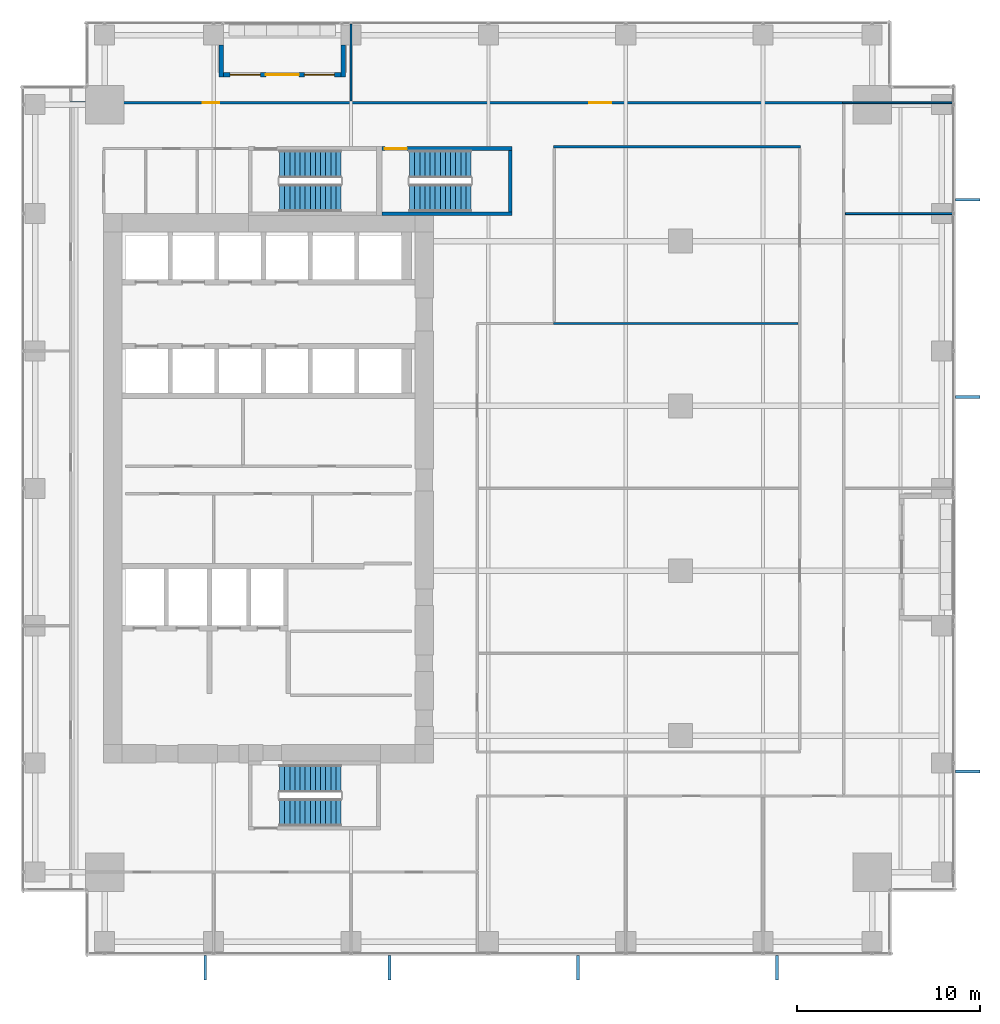
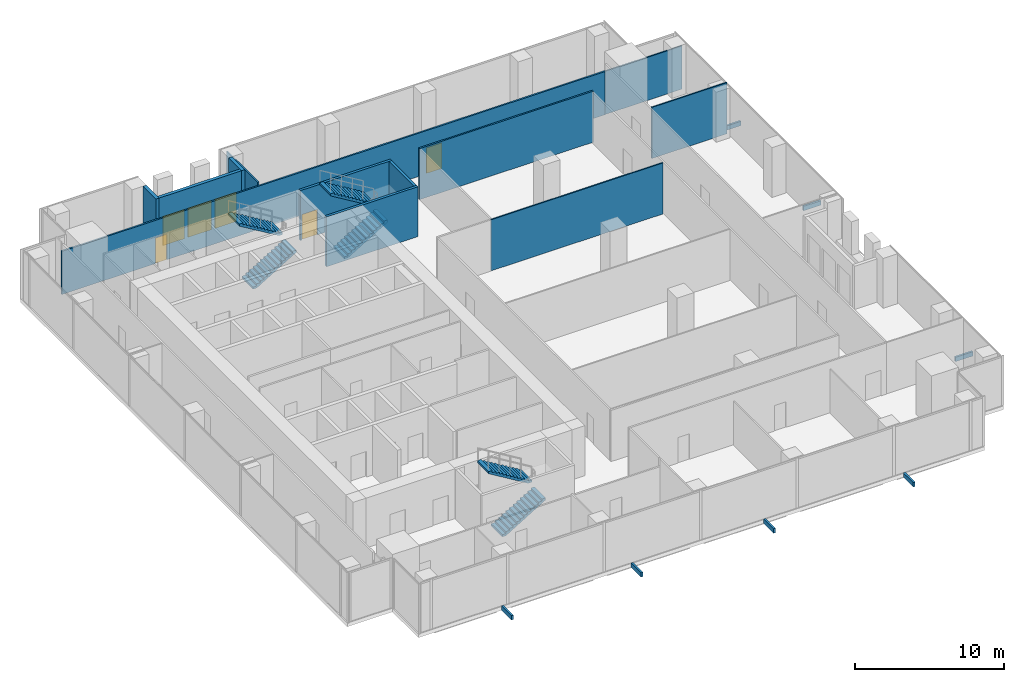
# One storey, part 31 of 34: 12 walls, 7 discrete accessories, 6 stair flights, 4 doors, 2 windows, 6 openings, 3 elements without a shape of their own.
"""IFC4 building model written with IfcOpenShell, lengths in metres."""

from ifc_helpers import new_model, si_unit, direction, frame, frame_2d, origin, origin_2d, place, context, subcontext, project, spatial, polyline, rectangle, outline, extrude, source, transform, mapped, material, layer, layer_set, type_object, element, fill, aggregate, save


model = new_model("IFC4")

# Units and contexts
model_context = context("Model", 3, precision=1e-05, world=origin(), true_north=direction((0.0, 1.0)))
body_context = subcontext(model_context, "Body", "Model", "MODEL_VIEW")
ifc_project = project(units=[si_unit("LENGTHUNIT", "METRE"), si_unit("AREAUNIT", "SQUARE_METRE"), si_unit("VOLUMEUNIT", "CUBIC_METRE"), si_unit("PLANEANGLEUNIT", "RADIAN"), si_unit("MASSUNIT", "GRAM", prefix="KILO")], contexts=[model_context])

# Site, building, storey
site_placement = place(None, origin())
site = spatial("IfcSite", under=ifc_project, at=site_placement, CompositionType="ELEMENT")
building_placement = place(site_placement, origin())
building = spatial("IfcBuilding", under=site, at=building_placement, Name="Khomas Fold Tower", CompositionType="ELEMENT")
storey_placement = place(building_placement, frame((0.0, 0.0, 110.300048828125)))
storey = spatial("IfcBuildingStorey", under=building, at=storey_placement, Name="L23", CompositionType="ELEMENT", Elevation=110.300048828125)

# Wall, opening, door
ifc_material_1 = material(Name="Concrete C50/60", Category="concrete")
ifc_layer_1 = layer(ifc_material_1, 0.199951171875)
ifc_layer_set_1 = layer_set([ifc_layer_1], Name="Concrete C50/60")
wall_type_1 = type_object("IfcWallType", Name="Stair wall 200", PredefinedType="SHEAR", material=ifc_layer_set_1)
shared_shape_1 = source(origin(), body_context, "Body", "SweptSolid", [
    extrude(rectangle(XDim=7.10009765625, YDim=0.199951171875, at=frame_2d((3.550048828125, 0.0))), origin(), (0.0, 0.0, 1.0), 4.099853515625),
])
wall_1_placement = place(storey_placement, frame((21.199951171875, 45.550048828125, 0.0), z_axis=(0.0, 0.0, 1.0), x_axis=(1.0, 0.0, 0.0)))
wall_1 = element("IfcWall", 1, at=wall_1_placement, inside=storey, type_object=wall_type_1, Name="Stair wall SW-ST3-N", PredefinedType="SHEAR", context=body_context, shape_type="MappedRepresentation", body=[
    mapped(shared_shape_1, transform((0.0, 0.0, 0.0))),
])
shared_shape_2 = source(origin(), body_context, "Body", "SweptSolid", [
    extrude(rectangle(XDim=1.199951171875, YDim=2.10009765625, at=frame_2d((0.60009765625, 1.050048828125))), frame((0.0, 0.10986328125, 0.0), z_axis=(0.0, -1.0, 0.0), x_axis=(1.0, 0.0, 0.0)), (0.0, 0.0, 1.0), 0.219970703125),
])
opening_1_placement = place(wall_1_placement, frame((0.14990234375, 0.0, 0.0)))
opening_1 = element("IfcOpeningElement", 2, at=opening_1_placement, cuts=wall_1, Name="Opening SD-ST3", PredefinedType="OPENING", context=body_context, shape_type="MappedRepresentation", body=[
    mapped(shared_shape_2, transform((0.0, 0.0, 0.0))),
])
ifc_material_2 = material(Name="Steel door leaf", Category="steel")
door_type_1 = type_object("IfcDoorType", Name="Stair door 1200x2100 left-hand", OperationType="SINGLE_SWING_LEFT", PredefinedType="DOOR", material=ifc_material_2)
shared_shape_3 = source(origin(), body_context, "Body", "SweptSolid", [
    extrude(rectangle(XDim=1.199951171875, YDim=2.10009765625, at=frame_2d((0.60009765625, 1.050048828125))), frame((0.0, 0.02490234375, 0.0), z_axis=(0.0, -1.0, 0.0), x_axis=(1.0, 0.0, 0.0)), (0.0, 0.0, 1.0), 0.050048828125),
])
door_1_placement = place(opening_1_placement, origin())
door_1 = element("IfcDoor", 3, at=door_1_placement, inside=storey, type_object=door_type_1, Name="Stair door", OperationType="SINGLE_SWING_LEFT", OverallHeight=2.10009765625, OverallWidth=1.199951171875, PredefinedType="DOOR", context=body_context, shape_type="MappedRepresentation", body=[
    mapped(shared_shape_3, transform((0.0, 0.0, 0.0))),
])
fill(opening_1, door_1)

# Walls
wall_2_placement = place(storey_placement, frame((21.199951171875, 42.0, 0.0), z_axis=(0.0, 0.0, 1.0), x_axis=(1.0, 0.0, 0.0)))
element("IfcWall", 4, at=wall_2_placement, inside=storey, type_object=wall_type_1, Name="Stair wall SW-ST3-S", PredefinedType="SHEAR", context=body_context, shape_type="MappedRepresentation", body=[
    mapped(shared_shape_1, transform((0.0, 0.0, 0.0))),
])
shared_shape_4 = source(origin(), body_context, "Body", "SweptSolid", [
    extrude(rectangle(XDim=3.349853515625, YDim=0.199951171875, at=frame_2d((1.6748046875, 0.0))), origin(), (0.0, 0.0, 1.0), 4.099853515625),
])
wall_3_placement = place(storey_placement, frame((28.199951171875, 42.10009765625, 0.0), z_axis=(0.0, 0.0, 1.0), x_axis=(0.0, 1.0, 0.0)))
element("IfcWall", 5, at=wall_3_placement, inside=storey, type_object=wall_type_1, Name="Stair wall SW-ST3-E", PredefinedType="SHEAR", context=body_context, shape_type="MappedRepresentation", body=[
    mapped(shared_shape_4, transform((0.0, 0.0, 0.0))),
])

# Wall, openings, door, windows
ifc_material_3 = material(Name="Natural stone", Category="masonry")
ifc_layer_2 = layer(ifc_material_3, 0.0400390625)
ifc_material_4 = material(Name="Mineral wool insulation", Category="insulation")
ifc_layer_3 = layer(ifc_material_4, 0.10009765625)
ifc_material_5 = material(Name="Masonry", Category="masonry")
ifc_layer_4 = layer(ifc_material_5, 0.110107421875)
ifc_layer_set_2 = layer_set([ifc_layer_2, ifc_layer_3, ifc_layer_4], Name="Stone-faced insulated masonry")
wall_type_2 = type_object("IfcWallType", Name="BL-Balcony wall", PredefinedType="SOLIDWALL", material=ifc_layer_set_2)
shared_shape_5 = source(origin(), body_context, "Body", "SweptSolid", [
    extrude(rectangle(XDim=6.39990234375, YDim=0.25, at=frame_2d((3.199951171875, 0.0))), origin(), (0.0, 0.0, 1.0), 4.099853515625),
])
wall_4_placement = place(storey_placement, frame((12.550048828125, 49.574951171875, 0.0), z_axis=(0.0, 0.0, 1.0), x_axis=(1.0, 0.0, 0.0)))
wall_4 = element("IfcWall", 6, at=wall_4_placement, inside=storey, type_object=wall_type_2, Name="Balcony wall BAL-L23-N1", PredefinedType="SOLIDWALL", context=body_context, shape_type="MappedRepresentation", body=[
    mapped(shared_shape_5, transform((0.0, 0.0, 0.0))),
])
shared_shape_6 = source(origin(), body_context, "Body", "SweptSolid", [
    extrude(rectangle(XDim=1.64990234375, YDim=2.39990234375, at=frame_2d((0.824951171875, 1.199951171875))), frame((0.0, 0.135009765625, 0.0), z_axis=(0.0, -1.0, 0.0), x_axis=(1.0, 0.0, 0.0)), (0.0, 0.0, 1.0), 0.27001953125),
])
opening_2_placement = place(wall_4_placement, frame((0.35009765625, 0.0, 0.0)))
opening_2 = element("IfcOpeningElement", 7, at=opening_2_placement, cuts=wall_4, Name="Opening BL-W2", PredefinedType="OPENING", context=body_context, shape_type="MappedRepresentation", body=[
    mapped(shared_shape_6, transform((0.0, 0.0, 0.0))),
])
opening_3_placement = place(wall_4_placement, frame((4.39990234375, 0.0, 0.0)))
opening_3 = element("IfcOpeningElement", 8, at=opening_3_placement, cuts=wall_4, Name="Opening BL-W2", PredefinedType="OPENING", context=body_context, shape_type="MappedRepresentation", body=[
    mapped(shared_shape_6, transform((0.0, 0.0, 0.0))),
])
shared_shape_7 = source(origin(), body_context, "Body", "SweptSolid", [
    extrude(rectangle(XDim=1.800048828125, YDim=2.39990234375, at=frame_2d((0.89990234375, 1.199951171875))), frame((0.0, 0.135009765625, 0.0), z_axis=(0.0, -1.0, 0.0), x_axis=(1.0, 0.0, 0.0)), (0.0, 0.0, 1.0), 0.27001953125),
])
opening_4_placement = place(wall_4_placement, frame((2.300048828125, 0.0, 0.0)))
opening_4 = element("IfcOpeningElement", 9, at=opening_4_placement, cuts=wall_4, Name="Opening BD231", PredefinedType="OPENING", context=body_context, shape_type="MappedRepresentation", body=[
    mapped(shared_shape_7, transform((0.0, 0.0, 0.0))),
])
ifc_material_6 = material(Name="Aluminium framed double glazing", Category="aluminium")
door_type_2 = type_object("IfcDoorType", Name="BL-Glazed balcony door 1800 x 2400", OperationType="DOUBLE_DOOR_DOUBLE_SWING", PredefinedType="DOOR", material=ifc_material_6)
shared_shape_8 = source(origin(), body_context, "Body", "SweptSolid", [
    extrude(rectangle(XDim=1.800048828125, YDim=2.39990234375, at=frame_2d((0.89990234375, 1.199951171875))), frame((0.0, 0.02490234375, 0.0), z_axis=(0.0, -1.0, 0.0), x_axis=(1.0, 0.0, 0.0)), (0.0, 0.0, 1.0), 0.050048828125),
])
door_2_placement = place(opening_4_placement, origin())
door_2 = element("IfcDoor", 10, at=door_2_placement, inside=storey, type_object=door_type_2, Name="Balcony door BD231", OperationType="DOUBLE_DOOR_DOUBLE_SWING", OverallHeight=2.39990234375, OverallWidth=1.800048828125, PredefinedType="DOOR", context=body_context, shape_type="MappedRepresentation", body=[
    mapped(shared_shape_8, transform((0.0, 0.0, 0.0))),
])
fill(opening_4, door_2)
ifc_material_7 = material(Name="Aluminium framed double glazing", Category="aluminium")
window_type = type_object("IfcWindowType", Name="BL-Fixed glazing 1650 x 2400", PartitioningType="SINGLE_PANEL", PredefinedType="WINDOW", material=ifc_material_7)
shared_shape_9 = source(origin(), body_context, "Body", "SweptSolid", [
    extrude(rectangle(XDim=1.64990234375, YDim=2.39990234375, at=frame_2d((0.824951171875, 1.199951171875))), frame((0.0, 0.030029296875, 0.0), z_axis=(0.0, -1.0, 0.0), x_axis=(1.0, 0.0, 0.0)), (0.0, 0.0, 1.0), 0.06005859375),
])
window_1_placement = place(opening_2_placement, origin())
window_1 = element("IfcWindow", 11, at=window_1_placement, inside=storey, type_object=window_type, Name="Balcony glazing BAL-L23-N1-1", OverallHeight=2.39990234375, OverallWidth=1.64990234375, PartitioningType="SINGLE_PANEL", PredefinedType="WINDOW", context=body_context, shape_type="MappedRepresentation", body=[
    mapped(shared_shape_9, transform((0.0, 0.0, 0.0))),
])
fill(opening_2, window_1)
window_2_placement = place(opening_3_placement, origin())
window_2 = element("IfcWindow", 12, at=window_2_placement, inside=storey, type_object=window_type, Name="Balcony glazing BAL-L23-N1-2", OverallHeight=2.39990234375, OverallWidth=1.64990234375, PartitioningType="SINGLE_PANEL", PredefinedType="WINDOW", context=body_context, shape_type="MappedRepresentation", body=[
    mapped(shared_shape_9, transform((0.0, 0.0, 0.0))),
])
fill(opening_3, window_2)

# Walls
shared_shape_10 = source(origin(), body_context, "Body", "SweptSolid", [
    extrude(rectangle(XDim=1.75, YDim=0.25, at=frame_2d((0.875, 0.0))), origin(), (0.0, 0.0, 1.0), 4.099853515625),
])
for number, where, z_axis, x_axis, name in (
    (13, (12.425048828125, 51.199951171875, 0.0), (0.0, 0.0, 1.0), (0.0, -1.0, 0.0), "Balcony return wall BAL-L23-N1-lo"),
    (14, (19.074951171875, 51.199951171875, 0.0), (0.0, 0.0, 1.0), (0.0, -1.0, 0.0), "Balcony return wall BAL-L23-N1-hi"),
):
    element("IfcWall", number, at=place(storey_placement, frame(where, z_axis=z_axis, x_axis=x_axis)), inside=storey, type_object=wall_type_2, Name=name, PredefinedType="SOLIDWALL", context=body_context, shape_type="MappedRepresentation", body=[
        mapped(shared_shape_10, transform((0.0, 0.0, 0.0))),
    ])
ifc_material_8 = material(Name="Plasterboard partition")
ifc_layer_5 = layer(ifc_material_8, 0.10009765625)
ifc_layer_set_3 = layer_set([ifc_layer_5], Name="Plasterboard partition")
wall_type_3 = type_object("IfcWallType", Name="Partition PW1 100", PredefinedType="PARTITIONING", material=ifc_layer_set_3)
shared_shape_11 = source(origin(), body_context, "Body", "SweptSolid", [
    extrude(rectangle(XDim=5.85009765625, YDim=0.10009765625, at=frame_2d((2.925048828125, 0.0))), origin(), (0.0, 0.0, 1.0), 4.199951171875),
])
wall_5_placement = place(storey_placement, frame((46.5, 42.0, 0.0), z_axis=(0.0, 0.0, 1.0), x_axis=(1.0, 0.0, 0.0)))
element("IfcWall", 15, at=wall_5_placement, inside=storey, type_object=wall_type_3, Name="Partition", PredefinedType="PARTITIONING", context=body_context, shape_type="MappedRepresentation", body=[
    mapped(shared_shape_11, transform((0.0, 0.0, 0.0))),
])
shared_shape_12 = source(origin(), body_context, "Body", "SweptSolid", [
    extrude(rectangle(XDim=13.349853515625, YDim=0.10009765625, at=frame_2d((6.6748046875, 0.0))), origin(), (0.0, 0.0, 1.0), 4.199951171875),
])
wall_6_placement = place(storey_placement, frame((30.550048828125, 36.0, 0.0), z_axis=(0.0, 0.0, 1.0), x_axis=(1.0, 0.0, 0.0)))
element("IfcWall", 16, at=wall_6_placement, inside=storey, type_object=wall_type_3, Name="Partition", PredefinedType="PARTITIONING", context=body_context, shape_type="MappedRepresentation", body=[
    mapped(shared_shape_12, transform((0.0, 0.0, 0.0))),
])
ifc_material_9 = material(Name="Plasterboard partition")
ifc_layer_6 = layer(ifc_material_9, 0.125)
ifc_layer_set_4 = layer_set([ifc_layer_6], Name="Plasterboard partition")
wall_type_4 = type_object("IfcWallType", Name="Partition PW2 125", PredefinedType="PARTITIONING", material=ifc_layer_set_4)
shared_shape_13 = source(origin(), body_context, "Body", "SweptSolid", [
    extrude(rectangle(XDim=13.5, YDim=0.125, at=frame_2d((6.75, 0.0))), origin(), (0.0, 0.0, 1.0), 4.199951171875),
])
wall_7_placement = place(storey_placement, frame((30.550048828125, 45.64990234375, 0.0), z_axis=(0.0, 0.0, 1.0), x_axis=(1.0, 0.0, 0.0)))
element("IfcWall", 17, at=wall_7_placement, inside=storey, type_object=wall_type_4, Name="Partition", PredefinedType="PARTITIONING", context=body_context, shape_type="MappedRepresentation", body=[
    mapped(shared_shape_13, transform((0.0, 0.0, 0.0))),
])

# Wall, openings, doors
shared_shape_14 = source(origin(), body_context, "Body", "SweptSolid", [
    extrude(rectangle(XDim=42.2001953125, YDim=0.125, at=frame_2d((21.10009765625, 0.0))), origin(), (0.0, 0.0, 1.0), 3.550048828125),
])
wall_8_placement = place(storey_placement, frame((4.14990234375, 48.050048828125, 0.0), z_axis=(0.0, 0.0, 1.0), x_axis=(1.0, 0.0, 0.0)))
wall_8 = element("IfcWall", 18, at=wall_8_placement, inside=storey, type_object=wall_type_4, Name="Partition", PredefinedType="PARTITIONING", context=body_context, shape_type="MappedRepresentation", body=[
    mapped(shared_shape_14, transform((0.0, 0.0, 0.0))),
])
shared_shape_15 = source(origin(), body_context, "Body", "SweptSolid", [
    extrude(rectangle(XDim=0.89990234375, YDim=2.10009765625, at=frame_2d((0.449951171875, 1.050048828125))), frame((0.0, 0.072509765625, 0.0), z_axis=(0.0, -1.0, 0.0), x_axis=(1.0, 0.0, 0.0)), (0.0, 0.0, 1.0), 0.14501953125),
])
opening_5_placement = place(wall_8_placement, frame((7.25, 0.0, 0.0)))
opening_5 = element("IfcOpeningElement", 19, at=opening_5_placement, cuts=wall_8, Name="Opening 0007", PredefinedType="OPENING", context=body_context, shape_type="MappedRepresentation", body=[
    mapped(shared_shape_15, transform((0.0, 0.0, 0.0))),
])
shared_shape_16 = source(origin(), body_context, "Body", "SweptSolid", [
    extrude(rectangle(XDim=1.199951171875, YDim=2.10009765625, at=frame_2d((0.60009765625, 1.050048828125))), frame((0.0, 0.072509765625, 0.0), z_axis=(0.0, -1.0, 0.0), x_axis=(1.0, 0.0, 0.0)), (0.0, 0.0, 1.0), 0.14501953125),
])
opening_6_placement = place(wall_8_placement, frame((28.35009765625, 0.0, 0.0)))
opening_6 = element("IfcOpeningElement", 20, at=opening_6_placement, cuts=wall_8, Name="Opening 0013", PredefinedType="OPENING", context=body_context, shape_type="MappedRepresentation", body=[
    mapped(shared_shape_16, transform((0.0, 0.0, 0.0))),
])
ifc_material_10 = material(Name="Timber door leaf", Category="wood")
door_type_3 = type_object("IfcDoorType", Name="Door 900x2100 left-hand", OperationType="SINGLE_SWING_LEFT", PredefinedType="DOOR", material=ifc_material_10)
shared_shape_17 = source(origin(), body_context, "Body", "SweptSolid", [
    extrude(rectangle(XDim=0.89990234375, YDim=2.10009765625, at=frame_2d((0.449951171875, 1.050048828125))), frame((0.0, 0.02490234375, 0.0), z_axis=(0.0, -1.0, 0.0), x_axis=(1.0, 0.0, 0.0)), (0.0, 0.0, 1.0), 0.050048828125),
])
door_3_placement = place(opening_5_placement, origin())
door_3 = element("IfcDoor", 21, at=door_3_placement, inside=storey, type_object=door_type_3, Name="Door", OperationType="SINGLE_SWING_LEFT", OverallHeight=2.10009765625, OverallWidth=0.89990234375, PredefinedType="DOOR", context=body_context, shape_type="MappedRepresentation", body=[
    mapped(shared_shape_17, transform((0.0, 0.0, 0.0))),
])
fill(opening_5, door_3)
ifc_material_11 = material(Name="Timber door leaf", Category="wood")
door_type_4 = type_object("IfcDoorType", Name="Door 1200x2100 left-hand", OperationType="SINGLE_SWING_LEFT", PredefinedType="DOOR", material=ifc_material_11)
door_4_placement = place(opening_6_placement, origin())
door_4 = element("IfcDoor", 22, at=door_4_placement, inside=storey, type_object=door_type_4, Name="Door", OperationType="SINGLE_SWING_LEFT", OverallHeight=2.10009765625, OverallWidth=1.199951171875, PredefinedType="DOOR", context=body_context, shape_type="MappedRepresentation", body=[
    mapped(shared_shape_3, transform((0.0, 0.0, 0.0))),
])
fill(opening_6, door_4)

# Walls
shared_shape_18 = source(origin(), body_context, "Body", "SweptSolid", [
    extrude(rectangle(XDim=6.0, YDim=0.10009765625, at=frame_2d((3.0, 0.0))), origin(), (0.0, 0.0, 1.0), 3.550048828125),
])
wall_9_placement = place(storey_placement, frame((46.35009765625, 48.050048828125, 0.0), z_axis=(0.0, 0.0, 1.0), x_axis=(1.0, 0.0, 0.0)))
element("IfcWall", 23, at=wall_9_placement, inside=storey, type_object=wall_type_3, Name="Partition", PredefinedType="PARTITIONING", context=body_context, shape_type="MappedRepresentation", body=[
    mapped(shared_shape_18, transform((0.0, 0.0, 0.0))),
])
shared_shape_19 = source(origin(), body_context, "Body", "SweptSolid", [
    extrude(rectangle(XDim=4.2001953125, YDim=0.10009765625, at=frame_2d((2.10009765625, 0.0))), origin(), (0.0, 0.0, 1.0), 3.77001953125),
])
wall_10_placement = place(storey_placement, frame((19.5, 48.14990234375, 0.0), z_axis=(0.0, 0.0, 1.0), x_axis=(0.0, 1.0, 0.0)))
element("IfcWall", 24, at=wall_10_placement, inside=storey, type_object=wall_type_3, Name="Partition", PredefinedType="PARTITIONING", context=body_context, shape_type="MappedRepresentation", body=[
    mapped(shared_shape_19, transform((0.0, 0.0, 0.0))),
])

# Stair, stair flights
ifc_material_12 = material(Name="Concrete C40/50", Category="concrete")
stair_type_1 = type_object("IfcStairType", Name="Stair ST1", PredefinedType="HALF_TURN_STAIR", material=ifc_material_12)
stair_1_placement = place(storey_placement, origin())
stair_1 = element("IfcStair", 25, at=stair_1_placement, inside=storey, type_object=stair_type_1, Name="L23 ST1", PredefinedType="HALF_TURN_STAIR")
ifc_material_13 = material(Name="Concrete C40/50", Category="concrete")
stair_flight_type_1 = type_object("IfcStairFlightType", Name="Stair flight 1500 ST1", PredefinedType="STRAIGHT", material=ifc_material_13)
shared_shape_20 = source(origin(), body_context, "Body", "SweptSolid", [
    extrude(outline(polyline([(0.0, 0.0), (0.0, 0.012939453125), (0.0, 0.026123046875), (0.0, 0.0390625), (0.0, 0.052001953125), (0.0, 0.065185546875), (0.0, 0.078125), (0.0, 0.091064453125), (0.0, 0.104248046875), (0.0, 0.1171875), (0.0, 0.130126953125), (0.0, 0.143310546875), (0.0, 0.15625), (0.0, 0.169189453125), (0.280029296875, 0.169189453125), (0.280029296875, 0.33837890625), (0.56005859375, 0.33837890625), (0.56005859375, 0.5078125), (0.840087890625, 0.5078125), (0.840087890625, 0.677001953125), (1.1201171875, 0.677001953125), (1.1201171875, 0.84619140625), (1.39990234375, 0.84619140625), (1.39990234375, 1.015380859375), (1.679931640625, 1.015380859375), (1.679931640625, 1.1845703125), (1.9599609375, 1.1845703125), (1.9599609375, 1.353759765625), (2.239990234375, 1.353759765625), (2.239990234375, 1.523193359375), (2.52001953125, 1.523193359375), (2.52001953125, 1.6923828125), (2.800048828125, 1.6923828125), (2.800048828125, 1.861572265625), (3.080078125, 1.861572265625), (3.080078125, 2.03076171875), (3.360107421875, 2.03076171875), (3.360107421875, 2.199951171875), (3.360107421875, 2.173583984375), (3.360107421875, 2.14697265625), (3.360107421875, 2.12060546875), (3.360107421875, 2.093994140625), (3.360107421875, 2.067626953125), (3.360107421875, 2.041015625), (3.360107421875, 2.0146484375), (3.360107421875, 1.988037109375), (3.360107421875, 1.961669921875), (3.360107421875, 1.93505859375), (3.360107421875, 1.90869140625), (3.360107421875, 1.882080078125), (3.360107421875, 1.855712890625), (0.289794921875, 0.0), (0.0, 0.0)])), frame((0.0, 0.75, 0.0), z_axis=(0.0, -1.0, 0.0), x_axis=(1.0, 0.0, 0.0)), (0.0, 0.0, 1.0), 1.5),
])
stair_flight_1_placement = place(storey_placement, frame((15.60009765625, 42.85009765625, 0.0), z_axis=(0.0, 0.0, 1.0), x_axis=(1.0, 0.0, 0.0)))
stair_flight_1 = element("IfcStairFlight", 26, at=stair_flight_1_placement, type_object=stair_flight_type_1, Name="ST1 flight 1", NumberOfRisers=13, NumberOfTreads=12, PredefinedType="STRAIGHT", RiserHeight=0.169230769, TreadLength=0.28, context=body_context, shape_type="MappedRepresentation", body=[
    mapped(shared_shape_20, transform((0.0, 0.0, 0.0))),
])
stair_flight_2_placement = place(storey_placement, frame((18.9599609375, 44.699951171875, 2.199951171875), z_axis=(0.0, 0.0, 1.0), x_axis=(-1.0, 0.0, 0.0)))
stair_flight_2 = element("IfcStairFlight", 27, at=stair_flight_2_placement, type_object=stair_flight_type_1, Name="ST1 flight 2", NumberOfRisers=13, NumberOfTreads=12, PredefinedType="STRAIGHT", RiserHeight=0.169230769, TreadLength=0.28, context=body_context, shape_type="MappedRepresentation", body=[
    mapped(shared_shape_20, transform((0.0, 0.0, 0.0))),
])
aggregate(stair_1, [stair_flight_1, stair_flight_2])

ifc_material_14 = material(Name="Concrete C40/50", Category="concrete")
stair_type_2 = type_object("IfcStairType", Name="Stair ST2", PredefinedType="HALF_TURN_STAIR", material=ifc_material_14)
stair_2_placement = place(storey_placement, origin())
stair_2 = element("IfcStair", 28, at=stair_2_placement, inside=storey, type_object=stair_type_2, Name="L23 ST2", PredefinedType="HALF_TURN_STAIR")
ifc_material_15 = material(Name="Concrete C40/50", Category="concrete")
stair_flight_type_2 = type_object("IfcStairFlightType", Name="Stair flight 1500 ST2", PredefinedType="STRAIGHT", material=ifc_material_15)
stair_flight_3_placement = place(storey_placement, frame((15.60009765625, 9.300048828125, 0.0), z_axis=(0.0, 0.0, 1.0), x_axis=(1.0, 0.0, 0.0)))
stair_flight_3 = element("IfcStairFlight", 29, at=stair_flight_3_placement, type_object=stair_flight_type_2, Name="ST2 flight 1", NumberOfRisers=13, NumberOfTreads=12, PredefinedType="STRAIGHT", RiserHeight=0.169230769, TreadLength=0.28, context=body_context, shape_type="MappedRepresentation", body=[
    mapped(shared_shape_20, transform((0.0, 0.0, 0.0))),
])
stair_flight_4_placement = place(storey_placement, frame((18.9599609375, 11.14990234375, 2.199951171875), z_axis=(0.0, 0.0, 1.0), x_axis=(-1.0, 0.0, 0.0)))
stair_flight_4 = element("IfcStairFlight", 30, at=stair_flight_4_placement, type_object=stair_flight_type_2, Name="ST2 flight 2", NumberOfRisers=13, NumberOfTreads=12, PredefinedType="STRAIGHT", RiserHeight=0.169230769, TreadLength=0.28, context=body_context, shape_type="MappedRepresentation", body=[
    mapped(shared_shape_20, transform((0.0, 0.0, 0.0))),
])
aggregate(stair_2, [stair_flight_3, stair_flight_4])

ifc_material_16 = material(Name="Concrete C40/50", Category="concrete")
stair_type_3 = type_object("IfcStairType", Name="Stair ST3", PredefinedType="HALF_TURN_STAIR", material=ifc_material_16)
stair_3_placement = place(storey_placement, origin())
stair_3 = element("IfcStair", 31, at=stair_3_placement, inside=storey, type_object=stair_type_3, Name="L23 ST3", PredefinedType="HALF_TURN_STAIR")
ifc_material_17 = material(Name="Concrete C40/50", Category="concrete")
stair_flight_type_3 = type_object("IfcStairFlightType", Name="Stair flight 1500 ST3", PredefinedType="STRAIGHT", material=ifc_material_17)
stair_flight_5_placement = place(storey_placement, frame((22.699951171875, 42.85009765625, 0.0), z_axis=(0.0, 0.0, 1.0), x_axis=(1.0, 0.0, 0.0)))
stair_flight_5 = element("IfcStairFlight", 32, at=stair_flight_5_placement, type_object=stair_flight_type_3, Name="ST3 flight 1", NumberOfRisers=13, NumberOfTreads=12, PredefinedType="STRAIGHT", RiserHeight=0.169230769, TreadLength=0.28, context=body_context, shape_type="MappedRepresentation", body=[
    mapped(shared_shape_20, transform((0.0, 0.0, 0.0))),
])
stair_flight_6_placement = place(storey_placement, frame((26.06005859375, 44.699951171875, 2.199951171875), z_axis=(0.0, 0.0, 1.0), x_axis=(-1.0, 0.0, 0.0)))
stair_flight_6 = element("IfcStairFlight", 33, at=stair_flight_6_placement, type_object=stair_flight_type_3, Name="ST3 flight 2", NumberOfRisers=13, NumberOfTreads=12, PredefinedType="STRAIGHT", RiserHeight=0.169230769, TreadLength=0.28, context=body_context, shape_type="MappedRepresentation", body=[
    mapped(shared_shape_20, transform((0.0, 0.0, 0.0))),
])
aggregate(stair_3, [stair_flight_5, stair_flight_6])

# Discrete accessories
ifc_material_18 = material(Name="Stainless steel", Category="steel")
discrete_accessory_type = type_object("IfcDiscreteAccessoryType", Name="SK-Stainless steel stone bracket", PredefinedType="BRACKET", material=ifc_material_18)
shared_shape_21 = source(origin(), body_context, "Body", "SweptSolid", [
    extrude(rectangle(XDim=1.34423828125, YDim=0.14990234375, at=origin_2d()), origin(), (0.0, 0.0, 1.0), 0.360107421875),
])
for number, where, z_axis, x_axis, name in (
    (34, (11.538330078125, 0.827880859375, -0.30029296875), (0.0, 0.0, 1.0), (0.0, -1.0, 0.0), "Stone bracket L23 SS03-1-3"),
    (35, (21.610107421875, 0.827880859375, -0.30029296875), (0.0, 0.0, 1.0), (0.0, -1.0, 0.0), "Stone bracket L23 SS06-2-3"),
    (36, (31.90087890625, 0.827880859375, -0.30029296875), (0.0, 0.0, 1.0), (0.0, -1.0, 0.0), "Stone bracket L23 SS09-3-3"),
    (37, (42.75537109375, 0.827880859375, -0.30029296875), (0.0, 0.0, 1.0), (0.0, -1.0, 0.0), "Stone bracket L23 SS12-4-3"),
    (38, (53.172119140625, 11.538330078125, -0.30029296875), (0.0, 0.0, 1.0), (1.0, 0.0, 0.0), "Stone bracket L23 ES03-1-3"),
    (39, (53.172119140625, 31.98876953125, -0.30029296875), (0.0, 0.0, 1.0), (1.0, 0.0, 0.0), "Stone bracket L23 ES09-2-3"),
    (40, (53.172119140625, 42.75537109375, -0.30029296875), (0.0, 0.0, 1.0), (1.0, 0.0, 0.0), "Stone bracket L23 ES12-3-3"),
):
    element("IfcDiscreteAccessory", number, at=place(storey_placement, frame(where, z_axis=z_axis, x_axis=x_axis)), inside=storey, type_object=discrete_accessory_type, Name=name, PredefinedType="BRACKET", context=body_context, shape_type="MappedRepresentation", body=[
        mapped(shared_shape_21, transform((0.0, 0.0, 0.0))),
    ])

save(model, "model.ifc")
